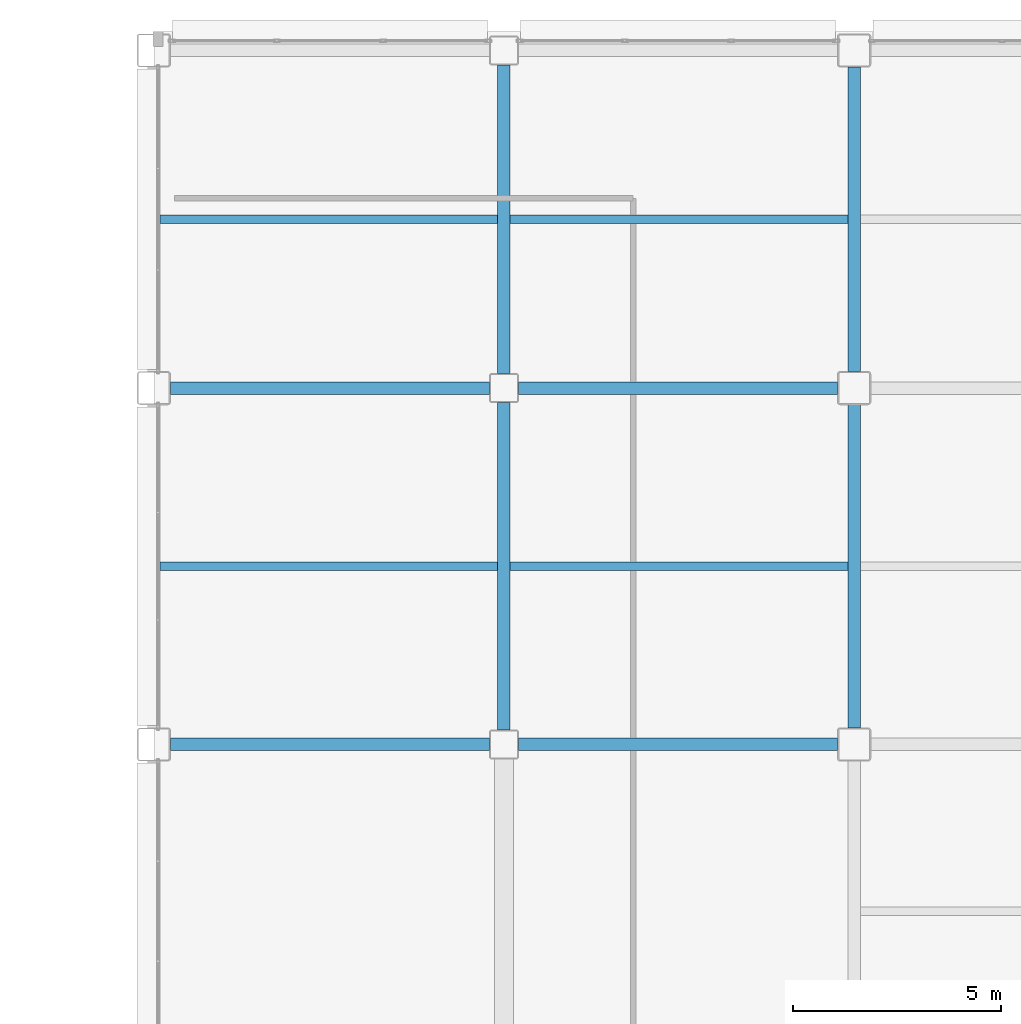
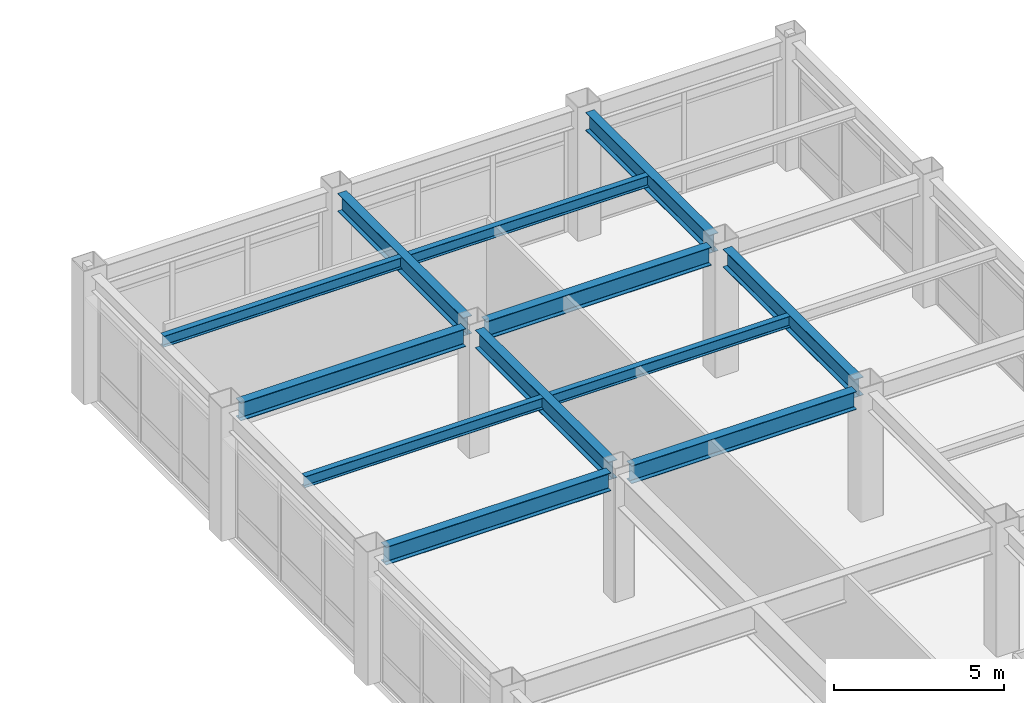
# One storey, part 109 of 154: 12 beams.
"""IFC4 building model written with IfcOpenShell, lengths in metres."""

import ifcopenshell
import ifcopenshell.guid

model = None  # the IFC model being written
_history = None  # IfcOwnerHistory: only IFC2X3 demands one
_inside = {}  # id of a spatial element -> (the spatial element, [elements in it])
_under = {}  # id of a project, library or spatial element -> (it, [spatial elements below it])
_declared = {}  # id of a project -> (the project, [libraries it declares])
_typed = {}  # id of a type object -> (the type object, [elements of that type])
_made_of = {}  # id of a material, layer set ... -> (it, [elements and type objects made of it])


def new_model(schema):
    """Start an empty IFC model of exactly this schema.

    Asked for "IFC4X3", IfcOpenShell would pick the latest addendum, in which some entities
    have other attributes; the version numbers below select the first issue.
    IFC2X3 requires an IfcOwnerHistory on every rooted entity: one is made here for all.
    """
    global model, _history
    if schema == "IFC4X3":
        model = ifcopenshell.file(schema_version=(4, 3, 0, 0))
    else:
        model = ifcopenshell.file(schema=schema)
    _inside.clear()
    _under.clear()
    _declared.clear()
    _typed.clear()
    _made_of.clear()
    _history = None
    if model.schema == "IFC2X3":
        org = make("IfcOrganization", Name="unknown")
        user = make(
            "IfcPersonAndOrganization",
            ThePerson=make("IfcPerson", FamilyName="unknown"),
            TheOrganization=org,
        )
        app = make(
            "IfcApplication",
            ApplicationDeveloper=org,
            Version="unknown",
            ApplicationFullName="unknown",
            ApplicationIdentifier="unknown",
        )
        _history = make(
            "IfcOwnerHistory",
            OwningUser=user,
            OwningApplication=app,
            ChangeAction="ADDED",
            CreationDate=0,
        )
    return model


def make(cls, **values):
    """One entity of the class cls with the attributes given. An attribute that is None is left unset."""
    return model.create_entity(
        cls, **{name: value for name, value in values.items() if value is not None}
    )


def rooted(cls, **values):
    """An entity with a GlobalId (a new one), such as an element, a storey or a relation."""
    return make(cls, GlobalId=ifcopenshell.guid.new(), OwnerHistory=_history, **values)


def si_unit(unit_type, name, prefix=None):
    """IfcSIUnit, for example si_unit("LENGTHUNIT", "METRE", prefix="MILLI")."""
    return make("IfcSIUnit", UnitType=unit_type, Prefix=prefix, Name=name)


def assignment(units):
    """IfcUnitAssignment: the units of a project."""
    return None if units is None else make("IfcUnitAssignment", Units=units)


def point(xyz):
    """IfcCartesianPoint."""
    return None if xyz is None else make("IfcCartesianPoint", Coordinates=xyz)


def direction(xyz):
    """IfcDirection."""
    return None if xyz is None else make("IfcDirection", DirectionRatios=xyz)


def frame(location, z_axis=None, x_axis=None):
    """IfcAxis2Placement3D, a coordinate frame: its origin and axes. An axis left out is left unset."""
    return make(
        "IfcAxis2Placement3D",
        Location=point(location),
        Axis=direction(z_axis),
        RefDirection=direction(x_axis),
    )


def frame_2d(location, x_axis=None):
    """IfcAxis2Placement2D, a coordinate frame in the plane: its origin and x axis."""
    return make(
        "IfcAxis2Placement2D", Location=point(location), RefDirection=direction(x_axis)
    )


def origin():
    """The frame at (0, 0, 0) with its axes left unset."""
    return frame((0.0, 0.0, 0.0))


def origin_2d():
    """The frame at (0, 0) in the plane with its x axis left unset."""
    return frame_2d((0.0, 0.0))


def place(relative_to, where):
    """IfcLocalPlacement: puts the frame where relative to a parent placement (None: the world)."""
    return make(
        "IfcLocalPlacement", PlacementRelTo=relative_to, RelativePlacement=where
    )


def context(
    kind, dimensions, precision=None, world=None, true_north=None, identifier=None
):
    """IfcGeometricRepresentationContext, for example the 3D "Model" context."""
    return make(
        "IfcGeometricRepresentationContext",
        ContextIdentifier=identifier,
        ContextType=kind,
        CoordinateSpaceDimension=dimensions,
        Precision=precision,
        WorldCoordinateSystem=world,
        TrueNorth=true_north,
    )


def subcontext(parent, identifier, kind, view, scale=None):
    """IfcGeometricRepresentationSubContext, for example "Body" below "Model"."""
    return make(
        "IfcGeometricRepresentationSubContext",
        ContextIdentifier=identifier,
        ContextType=kind,
        ParentContext=parent,
        TargetScale=scale,
        TargetView=view,
    )


def project(units=None, contexts=None):
    """IfcProject with its units and contexts."""
    return rooted(
        "IfcProject",
        Name="project",
        RepresentationContexts=contexts,
        UnitsInContext=assignment(units),
    )


def spatial(cls, under=None, at=None, **own):
    """A site, building, storey or space (cls), placed at a placement, below another one or the project."""
    s = rooted(cls, ObjectPlacement=at, **own)
    if under is not None:
        _under.setdefault(under.id(), (under, []))[1].append(s)
    return s


def profile(cls, at=None, kind="AREA", **sizes):
    """A parametric profile (cls). Its sizes go by their IFC names, for example OverallWidth=200.0."""
    return make(cls, ProfileType=kind, Position=at, **sizes)


def i_section(**sizes):
    """IfcIShapeProfileDef."""
    return profile("IfcIShapeProfileDef", **sizes)


def extrude(swept, where, along, depth):
    """IfcExtrudedAreaSolid: the profile swept, set in the frame where, extruded along a direction by depth."""
    return make(
        "IfcExtrudedAreaSolid",
        SweptArea=swept,
        Position=where,
        ExtrudedDirection=direction(along),
        Depth=depth,
    )


def shape(context_of_items, identifier, shape_type, items):
    """IfcShapeRepresentation: the items that make up one representation, for example the "Body"."""
    return make(
        "IfcShapeRepresentation",
        ContextOfItems=context_of_items,
        RepresentationIdentifier=identifier,
        RepresentationType=shape_type,
        Items=items,
    )


def material(Name=None, Category=None):
    """IfcMaterial."""
    return make("IfcMaterial", Name=Name, Category=Category)


def material_profile(
    of_material, cross_section, Name=None, Category=None, Priority=None
):
    """IfcMaterialProfile: a cross section and its material."""
    return make(
        "IfcMaterialProfile",
        Name=Name,
        Material=of_material,
        Profile=cross_section,
        Priority=Priority,
        Category=Category,
    )


def profile_set(profiles, Name=None, composite=None):
    """IfcMaterialProfileSet."""
    return make(
        "IfcMaterialProfileSet",
        Name=Name,
        MaterialProfiles=profiles,
        CompositeProfile=composite,
    )


def made_of(thing, what):
    """Note that an element or type object is made of a material, layer set ...; save() writes the relation."""
    if what is not None:
        _made_of.setdefault(what.id(), (what, []))[1].append(thing)
    return thing


def type_object(cls, material=None, **own):
    """A type object (cls), such as IfcWallType, which elements share."""
    return made_of(rooted(cls, **own), material)


def element(
    cls,
    number,
    at=None,
    inside=None,
    cuts=None,
    type_object=None,
    material=None,
    context=None,
    identifier="Body",
    shape_type=None,
    held_by="IfcProductDefinitionShape",
    body=None,
    shapes=None,
    **own,
):
    """One element of the class cls, such as IfcWall. Its Tag is "e" and its number.

    at: its placement. inside: the storey or other place that contains it. cuts: it is an
    opening in that element (IfcRelVoidsElement). A single representation is given by context,
    identifier, shape_type and body (its items); several are given by shapes. held_by: the class
    of the entity that holds the representations. save() writes the other relations.
    """
    e = rooted(cls, Tag="e%d" % number, ObjectPlacement=at, **own)
    if body is not None:
        shapes = [shape(context, identifier, shape_type, body)]
    if shapes is not None:
        e.Representation = make(held_by, Representations=shapes)
    if inside is not None:
        _inside.setdefault(inside.id(), (inside, []))[1].append(e)
    if cuts is not None:
        rooted(
            "IfcRelVoidsElement", RelatingBuildingElement=cuts, RelatedOpeningElement=e
        )
    if type_object is not None:
        _typed.setdefault(type_object.id(), (type_object, []))[1].append(e)
    return made_of(e, material)


def aggregate(whole, parts):
    """IfcRelAggregates: a whole, such as a stair, and the parts it consists of."""
    return rooted("IfcRelAggregates", RelatingObject=whole, RelatedObjects=parts)


def save(model, path):
    """Write the relations noted so far, then the file.

    IfcRelAggregates (storeys below a building ...), IfcRelContainedInSpatialStructure (elements
    in a storey), IfcRelDefinesByType, IfcRelAssociatesMaterial and IfcRelDeclares: one each for
    every whole, place, type object, material and project.
    """
    for whole, parts in _under.values():
        aggregate(whole, parts)
    for where, things in _inside.values():
        rooted(
            "IfcRelContainedInSpatialStructure",
            RelatedElements=things,
            RelatingStructure=where,
        )
    for kind, things in _typed.values():
        rooted("IfcRelDefinesByType", RelatedObjects=things, RelatingType=kind)
    for what, things in _made_of.values():
        rooted("IfcRelAssociatesMaterial", RelatedObjects=things, RelatingMaterial=what)
    for by, libraries in _declared.values():
        rooted("IfcRelDeclares", RelatingContext=by, RelatedDefinitions=libraries)
    model.write(path)


model = new_model("IFC4")

# Units and contexts
model_context = context("Model", 3, precision=1e-05, world=origin(), true_north=direction((0.0, 1.0)))
body_context = subcontext(model_context, "Body", "Model", "MODEL_VIEW")
ifc_project = project(units=[si_unit("LENGTHUNIT", "METRE"), si_unit("AREAUNIT", "SQUARE_METRE"), si_unit("VOLUMEUNIT", "CUBIC_METRE"), si_unit("PLANEANGLEUNIT", "RADIAN"), si_unit("MASSUNIT", "GRAM", prefix="KILO")], contexts=[model_context])

# Site, building, storey
site_placement = place(None, origin())
site = spatial("IfcSite", under=ifc_project, at=site_placement, CompositionType="ELEMENT")
building_placement = place(site_placement, origin())
building = spatial("IfcBuilding", under=site, at=building_placement, Name="Kazehara Bluff Congress Hotel", CompositionType="ELEMENT")
storey_placement = place(building_placement, frame((0.0, 0.0, 10.199951171875)))
storey = spatial("IfcBuildingStorey", under=building, at=storey_placement, Name="L02", CompositionType="ELEMENT", Elevation=10.199951171875)

# Beams
ifc_material_1 = material(Name="Steel SN490B", Category="steel")
ifc_material_profile_1 = material_profile(ifc_material_1, i_section(OverallWidth=0.300048828125, OverallDepth=0.64990234375, WebThickness=0.011962890625, FlangeThickness=0.02001953125, FilletRadius=0.012939453125, at=origin_2d()))
ifc_profile_set_1 = profile_set([ifc_material_profile_1], Name="Steel SN490B")
beam_type_1 = type_object("IfcBeamType", Name="TP-G-03", PredefinedType="BEAM", material=ifc_profile_set_1)
beam_1_placement = place(storey_placement, frame((152.10009765625, 97.25, 4.235107421875), z_axis=(0.0, 1.0, 0.0), x_axis=(-1.0, 0.0, 0.0)))
element("IfcBeam", 1, at=beam_1_placement, inside=storey, type_object=beam_type_1, Name="L02 girder G-03 156", PredefinedType="BEAM", context=body_context, shape_type="SweptSolid", body=[
    extrude(i_section(OverallWidth=0.300048828125, OverallDepth=0.64990234375, WebThickness=0.011962890625, FlangeThickness=0.02001953125, FilletRadius=0.012939453125, at=origin_2d()), origin(), (0.0, 0.0, 1.0), 7.85009765625),
])
beam_2_placement = place(storey_placement, frame((152.10009765625, 105.800048828125, 4.235107421875), z_axis=(0.0, 1.0, 0.0), x_axis=(-1.0, 0.0, 0.0)))
element("IfcBeam", 2, at=beam_2_placement, inside=storey, type_object=beam_type_1, Name="L02 girder G-03 157", PredefinedType="BEAM", context=body_context, shape_type="SweptSolid", body=[
    extrude(i_section(OverallWidth=0.300048828125, OverallDepth=0.64990234375, WebThickness=0.011962890625, FlangeThickness=0.02001953125, FilletRadius=0.012939453125, at=origin_2d()), origin(), (0.0, 0.0, 1.0), 7.39990234375),
])
beam_3_placement = place(storey_placement, frame((160.5, 97.300048828125, 4.235107421875), z_axis=(0.0, 1.0, 0.0), x_axis=(-1.0, 0.0, 0.0)))
element("IfcBeam", 3, at=beam_3_placement, inside=storey, type_object=beam_type_1, Name="L02 girder G-03 167", PredefinedType="BEAM", context=body_context, shape_type="SweptSolid", body=[
    extrude(i_section(OverallWidth=0.300048828125, OverallDepth=0.64990234375, WebThickness=0.011962890625, FlangeThickness=0.02001953125, FilletRadius=0.012939453125, at=origin_2d()), origin(), (0.0, 0.0, 1.0), 7.75),
])
beam_4_placement = place(storey_placement, frame((160.5, 105.85009765625, 4.235107421875), z_axis=(0.0, 1.0, 0.0), x_axis=(-1.0, 0.0, 0.0)))
element("IfcBeam", 4, at=beam_4_placement, inside=storey, type_object=beam_type_1, Name="L02 girder G-03 168", PredefinedType="BEAM", context=body_context, shape_type="SweptSolid", body=[
    extrude(i_section(OverallWidth=0.300048828125, OverallDepth=0.64990234375, WebThickness=0.011962890625, FlangeThickness=0.02001953125, FilletRadius=0.012939453125, at=origin_2d()), origin(), (0.0, 0.0, 1.0), 7.2998046875),
])
beam_5_placement = place(storey_placement, frame((144.10009765625, 96.89990234375, 4.235107421875), z_axis=(1.0, 0.0, 0.0), x_axis=(0.0, 1.0, 0.0)))
element("IfcBeam", 5, at=beam_5_placement, inside=storey, type_object=beam_type_1, Name="L02 girder G-03 219", PredefinedType="BEAM", context=body_context, shape_type="SweptSolid", body=[
    extrude(i_section(OverallWidth=0.300048828125, OverallDepth=0.64990234375, WebThickness=0.011962890625, FlangeThickness=0.02001953125, FilletRadius=0.012939453125, at=origin_2d()), origin(), (0.0, 0.0, 1.0), 7.64990234375),
])
beam_6_placement = place(storey_placement, frame((152.449951171875, 96.89990234375, 4.235107421875), z_axis=(1.0, 0.0, 0.0), x_axis=(0.0, 1.0, 0.0)))
element("IfcBeam", 6, at=beam_6_placement, inside=storey, type_object=beam_type_1, Name="L02 girder G-03 220", PredefinedType="BEAM", context=body_context, shape_type="SweptSolid", body=[
    extrude(i_section(OverallWidth=0.300048828125, OverallDepth=0.64990234375, WebThickness=0.011962890625, FlangeThickness=0.02001953125, FilletRadius=0.012939453125, at=origin_2d()), origin(), (0.0, 0.0, 1.0), 7.650146484375),
])
beam_7_placement = place(storey_placement, frame((144.10009765625, 105.449951171875, 4.235107421875), z_axis=(1.0, 0.0, 0.0), x_axis=(0.0, 1.0, 0.0)))
element("IfcBeam", 7, at=beam_7_placement, inside=storey, type_object=beam_type_1, Name="L02 girder G-03 222", PredefinedType="BEAM", context=body_context, shape_type="SweptSolid", body=[
    extrude(i_section(OverallWidth=0.300048828125, OverallDepth=0.64990234375, WebThickness=0.011962890625, FlangeThickness=0.02001953125, FilletRadius=0.012939453125, at=origin_2d()), origin(), (0.0, 0.0, 1.0), 7.64990234375),
])
beam_8_placement = place(storey_placement, frame((152.449951171875, 105.449951171875, 4.235107421875), z_axis=(1.0, 0.0, 0.0), x_axis=(0.0, 1.0, 0.0)))
element("IfcBeam", 8, at=beam_8_placement, inside=storey, type_object=beam_type_1, Name="L02 girder G-03 223", PredefinedType="BEAM", context=body_context, shape_type="SweptSolid", body=[
    extrude(i_section(OverallWidth=0.300048828125, OverallDepth=0.64990234375, WebThickness=0.011962890625, FlangeThickness=0.02001953125, FilletRadius=0.012939453125, at=origin_2d()), origin(), (0.0, 0.0, 1.0), 7.650146484375),
])
ifc_material_2 = material(Name="Steel SN400B", Category="steel")
ifc_material_profile_2 = material_profile(ifc_material_2, i_section(OverallWidth=0.199951171875, OverallDepth=0.39990234375, WebThickness=0.008056640625, FlangeThickness=0.012939453125, FilletRadius=0.012939453125, at=origin_2d()))
ifc_profile_set_2 = profile_set([ifc_material_profile_2], Name="Steel SN400B")
beam_type_2 = type_object("IfcBeamType", Name="TP-J-03", PredefinedType="JOIST", material=ifc_profile_set_2)
for number, where, z_axis, x_axis, name in (
    (9, (143.85009765625, 101.175048828125, 4.360107421875), (1.0, 0.0, 0.0), (0.0, 1.0, 0.0), "L02 secondary joist J-03 37"),
    (10, (143.85009765625, 109.5, 4.360107421875), (1.0, 0.0, 0.0), (0.0, 1.0, 0.0), "L02 secondary joist J-03 38"),
):
    element("IfcBeam", number, at=place(storey_placement, frame(where, z_axis=z_axis, x_axis=x_axis)), inside=storey, type_object=beam_type_2, Name=name, PredefinedType="JOIST", context=body_context, shape_type="SweptSolid", body=[
        extrude(i_section(OverallWidth=0.199951171875, OverallDepth=0.39990234375, WebThickness=0.008056640625, FlangeThickness=0.012939453125, FilletRadius=0.012939453125, at=origin_2d()), origin(), (0.0, 0.0, 1.0), 8.099853515625),
    ])
for number, where, z_axis, x_axis, name in (
    (11, (152.25, 101.175048828125, 4.360107421875), (1.0, 0.0, 0.0), (0.0, 1.0, 0.0), "L02 secondary joist J-03 41"),
    (12, (152.25, 109.5, 4.360107421875), (1.0, 0.0, 0.0), (0.0, 1.0, 0.0), "L02 secondary joist J-03 42"),
):
    element("IfcBeam", number, at=place(storey_placement, frame(where, z_axis=z_axis, x_axis=x_axis)), inside=storey, type_object=beam_type_2, Name=name, PredefinedType="JOIST", context=body_context, shape_type="SweptSolid", body=[
        extrude(i_section(OverallWidth=0.199951171875, OverallDepth=0.39990234375, WebThickness=0.008056640625, FlangeThickness=0.012939453125, FilletRadius=0.012939453125, at=origin_2d()), origin(), (0.0, 0.0, 1.0), 8.10009765625),
    ])

save(model, "model.ifc")
